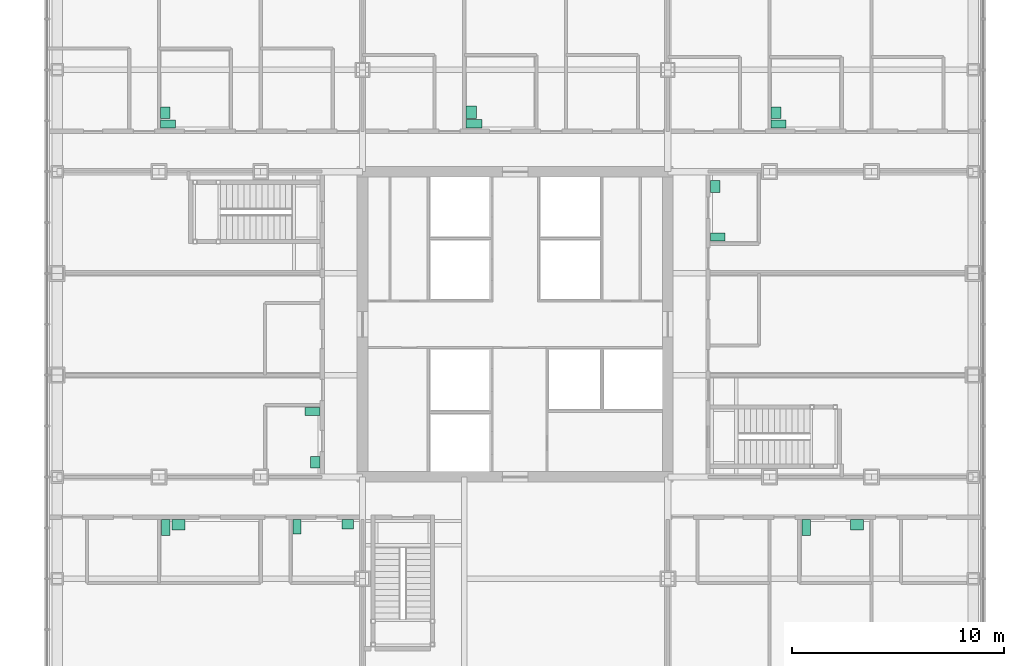
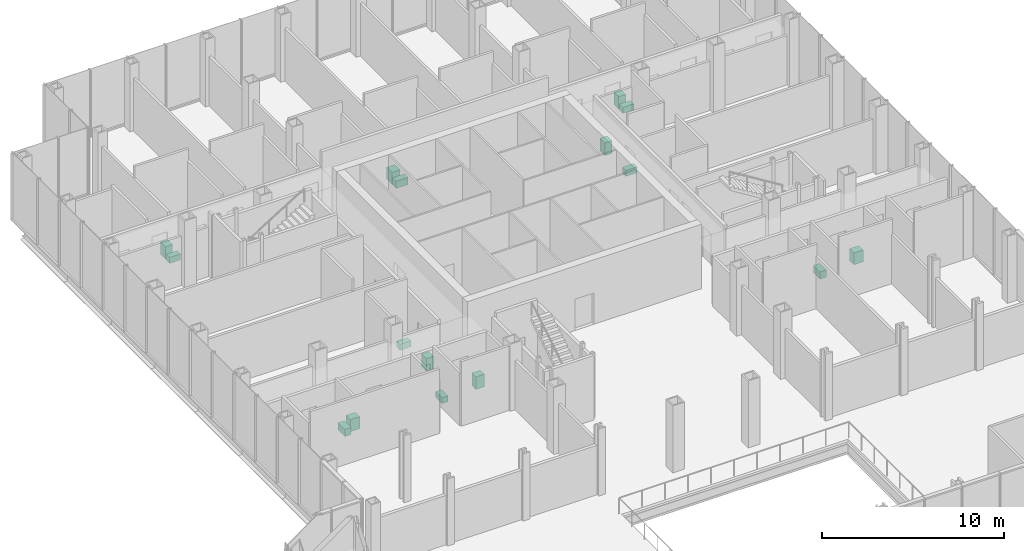
# One storey, part 26 of 26: 16 sanitary terminals.
"""IFC4 building model written with IfcOpenShell, lengths in metres."""

from ifc_helpers import new_model, si_unit, direction, frame, origin, origin_2d, place, context, subcontext, project, spatial, rectangle, extrude, material, type_object, element, save


model = new_model("IFC4")

# Units and contexts
model_context = context("Model", 3, precision=1e-05, world=origin(), true_north=direction((0.0, 1.0)))
body_context = subcontext(model_context, "Body", "Model", "MODEL_VIEW")
ifc_project = project(units=[si_unit("LENGTHUNIT", "METRE"), si_unit("AREAUNIT", "SQUARE_METRE"), si_unit("VOLUMEUNIT", "CUBIC_METRE"), si_unit("PLANEANGLEUNIT", "RADIAN"), si_unit("MASSUNIT", "GRAM", prefix="KILO")], contexts=[model_context])

# Site, building, storey
site_placement = place(None, origin())
site = spatial("IfcSite", under=ifc_project, at=site_placement, CompositionType="ELEMENT")
building_placement = place(site_placement, origin())
building = spatial("IfcBuilding", under=site, at=building_placement, Name="Kvirike Care Tower", CompositionType="ELEMENT")
storey_placement = place(building_placement, frame((0.0, 0.0, 18.0)))
storey = spatial("IfcBuildingStorey", under=building, at=storey_placement, Name="L04", CompositionType="ELEMENT", Elevation=18.0)

# Sanitary terminals
ifc_material_1 = material(Name="Vitreous china", Category="ceramic")
sanitary_terminal_type_1 = type_object("IfcSanitaryTerminalType", Name="ACCESSIBLE WASH BASIN 600 x 500", PredefinedType="WASHHANDBASIN", material=ifc_material_1)
for number, where, z_axis, x_axis, name in (
    (1, (5.72509765625, 26.548095703125, 0.02001953125), (0.0, 0.0, 1.0), (1.0, 0.0, 0.0), "Accessible wash basin L04-004"),
    (2, (19.527099609375, 46.0, 0.02001953125), (0.0, 0.0, 1.0), (0.0, 1.0, 0.0), "Accessible wash basin L04-027"),
    (3, (37.72509765625, 26.548095703125, 0.02001953125), (0.0, 0.0, 1.0), (1.0, 0.0, 0.0), "Accessible wash basin L04-034"),
):
    element("IfcSanitaryTerminal", number, at=place(storey_placement, frame(where, z_axis=z_axis, x_axis=x_axis)), inside=storey, type_object=sanitary_terminal_type_1, Name=name, PredefinedType="WASHHANDBASIN", context=body_context, shape_type="SweptSolid", body=[
        extrude(rectangle(XDim=0.60009765625, YDim=0.5, at=origin_2d()), origin(), (0.0, 0.0, 1.0), 0.800048828125),
    ])
ifc_material_2 = material(Name="Vitreous china", Category="ceramic")
sanitary_terminal_type_2 = type_object("IfcSanitaryTerminalType", Name="ACCESSIBLE WC PAN 400 x 750", PredefinedType="TOILETPAN", material=ifc_material_2)
for number, where, z_axis, x_axis, name in (
    (4, (5.125, 26.423095703125, 0.02001953125), (0.0, 0.0, 1.0), (1.0, 0.0, 0.0), "Accessible WC pan L04-004"),
    (5, (19.652099609375, 45.449951171875, 0.02001953125), (0.0, 0.0, 1.0), (0.0, 1.0, 0.0), "Accessible WC pan L04-027"),
    (6, (35.324951171875, 26.423095703125, 0.02001953125), (0.0, 0.0, 1.0), (1.0, 0.0, 0.0), "Accessible WC pan L04-034"),
):
    element("IfcSanitaryTerminal", number, at=place(storey_placement, frame(where, z_axis=z_axis, x_axis=x_axis)), inside=storey, type_object=sanitary_terminal_type_2, Name=name, PredefinedType="TOILETPAN", context=body_context, shape_type="SweptSolid", body=[
        extrude(rectangle(XDim=0.39990234375, YDim=0.75, at=origin_2d()), origin(), (0.0, 0.0, 1.0), 0.47998046875),
    ])
ifc_material_3 = material(Name="Vitreous china", Category="ceramic")
sanitary_terminal_type_3 = type_object("IfcSanitaryTerminalType", Name="WASH BASIN 550 x 450", PredefinedType="WASHHANDBASIN", material=ifc_material_3)
for number, where, z_axis, x_axis, name in (
    (7, (13.699951171875, 26.572998046875, 0.02001953125), (0.0, 0.0, 1.0), (1.0, 0.0, 0.0), "Wash basin L04-005"),
    (8, (12.173095703125, 29.5, 0.02001953125), (0.0, 0.0, 1.0), (0.0, -1.0, 0.0), "Wash basin L04-012"),
    (9, (5.10205078125, 45.97509765625, 0.02001953125), (0.0, 0.0, 1.0), (0.0, 1.0, 0.0), "Wash basin L04-018"),
    (10, (31.027099609375, 42.5, 0.02001953125), (0.0, 0.0, 1.0), (0.0, 1.0, 0.0), "Wash basin L04-042"),
    (11, (33.902099609375, 45.97509765625, 0.02001953125), (0.0, 0.0, 1.0), (0.0, 1.0, 0.0), "Wash basin L04-048"),
):
    element("IfcSanitaryTerminal", number, at=place(storey_placement, frame(where, z_axis=z_axis, x_axis=x_axis)), inside=storey, type_object=sanitary_terminal_type_3, Name=name, PredefinedType="WASHHANDBASIN", context=body_context, shape_type="SweptSolid", body=[
        extrude(rectangle(XDim=0.550048828125, YDim=0.449951171875, at=origin_2d()), origin(), (0.0, 0.0, 1.0), 0.85009765625),
    ])
ifc_material_4 = material(Name="Vitreous china", Category="ceramic")
sanitary_terminal_type_4 = type_object("IfcSanitaryTerminalType", Name="WC PAN 380 x 700", PredefinedType="TOILETPAN", material=ifc_material_4)
for number, where, z_axis, x_axis, name in (
    (12, (11.31494140625, 26.447998046875, 0.02001953125), (0.0, 0.0, 1.0), (1.0, 0.0, 0.0), "WC pan L04-005"),
    (13, (12.048095703125, 31.885009765625, 0.02001953125), (0.0, 0.0, 1.0), (0.0, -1.0, 0.0), "WC pan L04-012"),
    (14, (5.22705078125, 45.43994140625, 0.02001953125), (0.0, 0.0, 1.0), (0.0, 1.0, 0.0), "WC pan L04-018"),
    (15, (31.152099609375, 40.114990234375, 0.02001953125), (0.0, 0.0, 1.0), (0.0, 1.0, 0.0), "WC pan L04-042"),
    (16, (34.027099609375, 45.43994140625, 0.02001953125), (0.0, 0.0, 1.0), (0.0, 1.0, 0.0), "WC pan L04-048"),
):
    element("IfcSanitaryTerminal", number, at=place(storey_placement, frame(where, z_axis=z_axis, x_axis=x_axis)), inside=storey, type_object=sanitary_terminal_type_4, Name=name, PredefinedType="TOILETPAN", context=body_context, shape_type="SweptSolid", body=[
        extrude(rectangle(XDim=0.3798828125, YDim=0.699951171875, at=origin_2d()), origin(), (0.0, 0.0, 1.0), 0.39990234375),
    ])

save(model, "model.ifc")
